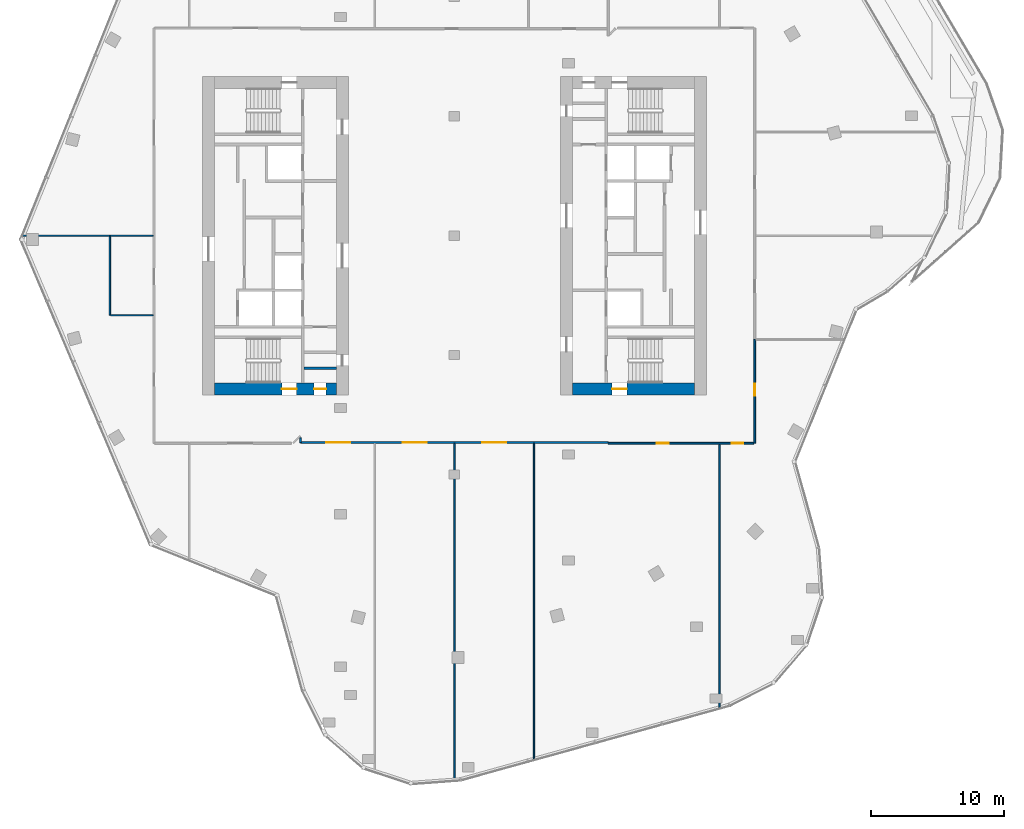
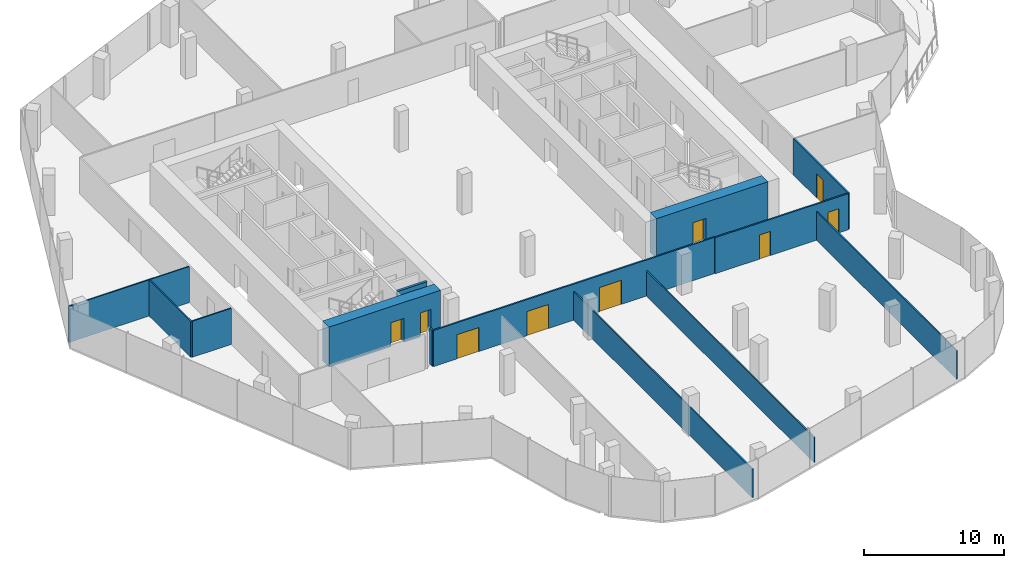
# One storey, part 12 of 17: 13 walls, 9 doors, 9 openings.
"""IFC4 building model written with IfcOpenShell, lengths in metres."""

import ifcopenshell
import ifcopenshell.guid

model = None  # the IFC model being written
_history = None  # IfcOwnerHistory: only IFC2X3 demands one
_inside = {}  # id of a spatial element -> (the spatial element, [elements in it])
_under = {}  # id of a project, library or spatial element -> (it, [spatial elements below it])
_declared = {}  # id of a project -> (the project, [libraries it declares])
_typed = {}  # id of a type object -> (the type object, [elements of that type])
_made_of = {}  # id of a material, layer set ... -> (it, [elements and type objects made of it])


def new_model(schema):
    """Start an empty IFC model of exactly this schema.

    Asked for "IFC4X3", IfcOpenShell would pick the latest addendum, in which some entities
    have other attributes; the version numbers below select the first issue.
    IFC2X3 requires an IfcOwnerHistory on every rooted entity: one is made here for all.
    """
    global model, _history
    if schema == "IFC4X3":
        model = ifcopenshell.file(schema_version=(4, 3, 0, 0))
    else:
        model = ifcopenshell.file(schema=schema)
    _inside.clear()
    _under.clear()
    _declared.clear()
    _typed.clear()
    _made_of.clear()
    _history = None
    if model.schema == "IFC2X3":
        org = make("IfcOrganization", Name="unknown")
        user = make(
            "IfcPersonAndOrganization",
            ThePerson=make("IfcPerson", FamilyName="unknown"),
            TheOrganization=org,
        )
        app = make(
            "IfcApplication",
            ApplicationDeveloper=org,
            Version="unknown",
            ApplicationFullName="unknown",
            ApplicationIdentifier="unknown",
        )
        _history = make(
            "IfcOwnerHistory",
            OwningUser=user,
            OwningApplication=app,
            ChangeAction="ADDED",
            CreationDate=0,
        )
    return model


def make(cls, **values):
    """One entity of the class cls with the attributes given. An attribute that is None is left unset."""
    return model.create_entity(
        cls, **{name: value for name, value in values.items() if value is not None}
    )


def rooted(cls, **values):
    """An entity with a GlobalId (a new one), such as an element, a storey or a relation."""
    return make(cls, GlobalId=ifcopenshell.guid.new(), OwnerHistory=_history, **values)


def si_unit(unit_type, name, prefix=None):
    """IfcSIUnit, for example si_unit("LENGTHUNIT", "METRE", prefix="MILLI")."""
    return make("IfcSIUnit", UnitType=unit_type, Prefix=prefix, Name=name)


def assignment(units):
    """IfcUnitAssignment: the units of a project."""
    return None if units is None else make("IfcUnitAssignment", Units=units)


def point(xyz):
    """IfcCartesianPoint."""
    return None if xyz is None else make("IfcCartesianPoint", Coordinates=xyz)


def direction(xyz):
    """IfcDirection."""
    return None if xyz is None else make("IfcDirection", DirectionRatios=xyz)


def frame(location, z_axis=None, x_axis=None):
    """IfcAxis2Placement3D, a coordinate frame: its origin and axes. An axis left out is left unset."""
    return make(
        "IfcAxis2Placement3D",
        Location=point(location),
        Axis=direction(z_axis),
        RefDirection=direction(x_axis),
    )


def frame_2d(location, x_axis=None):
    """IfcAxis2Placement2D, a coordinate frame in the plane: its origin and x axis."""
    return make(
        "IfcAxis2Placement2D", Location=point(location), RefDirection=direction(x_axis)
    )


def origin():
    """The frame at (0, 0, 0) with its axes left unset."""
    return frame((0.0, 0.0, 0.0))


def place(relative_to, where):
    """IfcLocalPlacement: puts the frame where relative to a parent placement (None: the world)."""
    return make(
        "IfcLocalPlacement", PlacementRelTo=relative_to, RelativePlacement=where
    )


def context(
    kind, dimensions, precision=None, world=None, true_north=None, identifier=None
):
    """IfcGeometricRepresentationContext, for example the 3D "Model" context."""
    return make(
        "IfcGeometricRepresentationContext",
        ContextIdentifier=identifier,
        ContextType=kind,
        CoordinateSpaceDimension=dimensions,
        Precision=precision,
        WorldCoordinateSystem=world,
        TrueNorth=true_north,
    )


def subcontext(parent, identifier, kind, view, scale=None):
    """IfcGeometricRepresentationSubContext, for example "Body" below "Model"."""
    return make(
        "IfcGeometricRepresentationSubContext",
        ContextIdentifier=identifier,
        ContextType=kind,
        ParentContext=parent,
        TargetScale=scale,
        TargetView=view,
    )


def project(units=None, contexts=None):
    """IfcProject with its units and contexts."""
    return rooted(
        "IfcProject",
        Name="project",
        RepresentationContexts=contexts,
        UnitsInContext=assignment(units),
    )


def spatial(cls, under=None, at=None, **own):
    """A site, building, storey or space (cls), placed at a placement, below another one or the project."""
    s = rooted(cls, ObjectPlacement=at, **own)
    if under is not None:
        _under.setdefault(under.id(), (under, []))[1].append(s)
    return s


def profile(cls, at=None, kind="AREA", **sizes):
    """A parametric profile (cls). Its sizes go by their IFC names, for example OverallWidth=200.0."""
    return make(cls, ProfileType=kind, Position=at, **sizes)


def rectangle(**sizes):
    """IfcRectangleProfileDef."""
    return profile("IfcRectangleProfileDef", **sizes)


def extrude(swept, where, along, depth):
    """IfcExtrudedAreaSolid: the profile swept, set in the frame where, extruded along a direction by depth."""
    return make(
        "IfcExtrudedAreaSolid",
        SweptArea=swept,
        Position=where,
        ExtrudedDirection=direction(along),
        Depth=depth,
    )


def shape(context_of_items, identifier, shape_type, items):
    """IfcShapeRepresentation: the items that make up one representation, for example the "Body"."""
    return make(
        "IfcShapeRepresentation",
        ContextOfItems=context_of_items,
        RepresentationIdentifier=identifier,
        RepresentationType=shape_type,
        Items=items,
    )


def material(Name=None, Category=None):
    """IfcMaterial."""
    return make("IfcMaterial", Name=Name, Category=Category)


def layer(
    of_material, thickness, ventilated=None, Name=None, Category=None, Priority=None
):
    """IfcMaterialLayer: one layer of a wall or slab, of a material (None: an air gap)."""
    return make(
        "IfcMaterialLayer",
        Material=of_material,
        LayerThickness=thickness,
        IsVentilated=ventilated,
        Name=Name,
        Category=Category,
        Priority=Priority,
    )


def layer_set(layers, Name=None):
    """IfcMaterialLayerSet."""
    return make("IfcMaterialLayerSet", MaterialLayers=layers, LayerSetName=Name)


def made_of(thing, what):
    """Note that an element or type object is made of a material, layer set ...; save() writes the relation."""
    if what is not None:
        _made_of.setdefault(what.id(), (what, []))[1].append(thing)
    return thing


def type_object(cls, material=None, **own):
    """A type object (cls), such as IfcWallType, which elements share."""
    return made_of(rooted(cls, **own), material)


def element(
    cls,
    number,
    at=None,
    inside=None,
    cuts=None,
    type_object=None,
    material=None,
    context=None,
    identifier="Body",
    shape_type=None,
    held_by="IfcProductDefinitionShape",
    body=None,
    shapes=None,
    **own,
):
    """One element of the class cls, such as IfcWall. Its Tag is "e" and its number.

    at: its placement. inside: the storey or other place that contains it. cuts: it is an
    opening in that element (IfcRelVoidsElement). A single representation is given by context,
    identifier, shape_type and body (its items); several are given by shapes. held_by: the class
    of the entity that holds the representations. save() writes the other relations.
    """
    e = rooted(cls, Tag="e%d" % number, ObjectPlacement=at, **own)
    if body is not None:
        shapes = [shape(context, identifier, shape_type, body)]
    if shapes is not None:
        e.Representation = make(held_by, Representations=shapes)
    if inside is not None:
        _inside.setdefault(inside.id(), (inside, []))[1].append(e)
    if cuts is not None:
        rooted(
            "IfcRelVoidsElement", RelatingBuildingElement=cuts, RelatedOpeningElement=e
        )
    if type_object is not None:
        _typed.setdefault(type_object.id(), (type_object, []))[1].append(e)
    return made_of(e, material)


def fill(opening, filler):
    """IfcRelFillsElement: the door or window that sits in an opening."""
    return rooted(
        "IfcRelFillsElement",
        RelatingOpeningElement=opening,
        RelatedBuildingElement=filler,
    )


def aggregate(whole, parts):
    """IfcRelAggregates: a whole, such as a stair, and the parts it consists of."""
    return rooted("IfcRelAggregates", RelatingObject=whole, RelatedObjects=parts)


def save(model, path):
    """Write the relations noted so far, then the file.

    IfcRelAggregates (storeys below a building ...), IfcRelContainedInSpatialStructure (elements
    in a storey), IfcRelDefinesByType, IfcRelAssociatesMaterial and IfcRelDeclares: one each for
    every whole, place, type object, material and project.
    """
    for whole, parts in _under.values():
        aggregate(whole, parts)
    for where, things in _inside.values():
        rooted(
            "IfcRelContainedInSpatialStructure",
            RelatedElements=things,
            RelatingStructure=where,
        )
    for kind, things in _typed.values():
        rooted("IfcRelDefinesByType", RelatedObjects=things, RelatingType=kind)
    for what, things in _made_of.values():
        rooted("IfcRelAssociatesMaterial", RelatedObjects=things, RelatingMaterial=what)
    for by, libraries in _declared.values():
        rooted("IfcRelDeclares", RelatingContext=by, RelatedDefinitions=libraries)
    model.write(path)


model = new_model("IFC4")

# Units and contexts
model_context = context("Model", 3, precision=1e-05, world=origin(), true_north=direction((0.0, 1.0)))
body_context = subcontext(model_context, "Body", "Model", "MODEL_VIEW")
ifc_project = project(units=[si_unit("LENGTHUNIT", "METRE"), si_unit("AREAUNIT", "SQUARE_METRE"), si_unit("VOLUMEUNIT", "CUBIC_METRE"), si_unit("PLANEANGLEUNIT", "RADIAN"), si_unit("MASSUNIT", "GRAM", prefix="KILO")], contexts=[model_context])

# Site, building, storey
site_placement = place(None, origin())
site = spatial("IfcSite", under=ifc_project, at=site_placement, CompositionType="ELEMENT")
building_placement = place(site_placement, origin())
building = spatial("IfcBuilding", under=site, at=building_placement, Name="Orlundy Tower", CompositionType="ELEMENT")
storey_placement = place(building_placement, frame((0.0, 0.0, 289.39990234375)))
storey = spatial("IfcBuildingStorey", under=building, at=storey_placement, Name="L77", CompositionType="ELEMENT", Elevation=289.39990234375)

# Wall, openings, doors
ifc_material_1 = material(Name="Concrete C50/60", Category="concrete")
ifc_layer_1 = layer(ifc_material_1, 0.89990234375)
ifc_layer_set_1 = layer_set([ifc_layer_1], Name="CORE WALL 900 C50/60")
wall_type_1 = type_object("IfcWallType", Name="CORE WALL 900 C50/60", PredefinedType="SHEAR", material=ifc_layer_set_1)
wall_1_placement = place(storey_placement, frame((-18.10009765625, -11.550048828125, 0.0), z_axis=(0.0, 0.0, 1.0), x_axis=(1.0, 0.0, 0.0)))
wall_1 = element("IfcWall", 1, at=wall_1_placement, inside=storey, type_object=wall_type_1, Name="Core wall W-S L77", PredefinedType="SHEAR", context=body_context, shape_type="SweptSolid", body=[
    extrude(rectangle(XDim=9.2001953125, YDim=0.89990234375, at=frame_2d((4.60009765625, 0.0))), origin(), (0.0, 0.0, 1.0), 3.5),
])
opening_1_placement = place(wall_1_placement, frame((5.10009765625, 0.0, 0.0)))
opening_1 = element("IfcOpeningElement", 2, at=opening_1_placement, cuts=wall_1, Name="Opening 59012", PredefinedType="OPENING", context=body_context, shape_type="SweptSolid", body=[
    extrude(rectangle(XDim=1.10009765625, YDim=2.10009765625, at=frame_2d((0.550048828125, 1.050048828125))), frame((0.0, 0.4599609375, 0.0), z_axis=(0.0, -1.0, 0.0), x_axis=(1.0, 0.0, 0.0)), (0.0, 0.0, 1.0), 0.919921875),
])
opening_2_placement = place(wall_1_placement, frame((7.530029296875, 0.0, 0.0)))
opening_2 = element("IfcOpeningElement", 3, at=opening_2_placement, cuts=wall_1, Name="Opening 59014", PredefinedType="OPENING", context=body_context, shape_type="SweptSolid", body=[
    extrude(rectangle(XDim=0.89990234375, YDim=2.10009765625, at=frame_2d((0.449951171875, 1.050048828125))), frame((0.0, 0.4599609375, 0.0), z_axis=(0.0, -1.0, 0.0), x_axis=(1.0, 0.0, 0.0)), (0.0, 0.0, 1.0), 0.919921875),
])
ifc_material_2 = material(Name="Timber door set", Category="wood")
door_type_1 = type_object("IfcDoorType", Name="Room Door 900x2100", OperationType="SINGLE_SWING_LEFT", PredefinedType="DOOR", material=ifc_material_2)
door_1_placement = place(opening_2_placement, origin())
door_1 = element("IfcDoor", 4, at=door_1_placement, inside=storey, type_object=door_type_1, Name="Store door 59014", OperationType="SINGLE_SWING_RIGHT", OverallHeight=2.10009765625, OverallWidth=0.89990234375, PredefinedType="DOOR", context=body_context, shape_type="SweptSolid", body=[
    extrude(rectangle(XDim=0.89990234375, YDim=2.10009765625, at=frame_2d((0.449951171875, 1.050048828125))), frame((0.0, 0.02490234375, 0.0), z_axis=(0.0, -1.0, 0.0), x_axis=(1.0, 0.0, 0.0)), (0.0, 0.0, 1.0), 0.050048828125),
])
fill(opening_2, door_1)
ifc_material_3 = material(Name="Steel door set", Category="steel")
door_type_2 = type_object("IfcDoorType", Name="Stair Door 1100x2100", OperationType="SINGLE_SWING_LEFT", PredefinedType="DOOR", material=ifc_material_3)
door_2_placement = place(opening_1_placement, origin())
door_2 = element("IfcDoor", 5, at=door_2_placement, inside=storey, type_object=door_type_2, Name="Stair door 59012", OperationType="SINGLE_SWING_RIGHT", OverallHeight=2.10009765625, OverallWidth=1.10009765625, PredefinedType="DOOR", context=body_context, shape_type="SweptSolid", body=[
    extrude(rectangle(XDim=1.10009765625, YDim=2.10009765625, at=frame_2d((0.550048828125, 1.050048828125))), frame((0.0, 0.02490234375, 0.0), z_axis=(0.0, -1.0, 0.0), x_axis=(1.0, 0.0, 0.0)), (0.0, 0.0, 1.0), 0.050048828125),
])
fill(opening_1, door_2)

# Wall, opening, door
wall_2_placement = place(storey_placement, frame((8.89990234375, -11.550048828125, 0.0), z_axis=(0.0, 0.0, 1.0), x_axis=(1.0, 0.0, 0.0)))
wall_2 = element("IfcWall", 6, at=wall_2_placement, inside=storey, type_object=wall_type_1, Name="Core wall E-S L77", PredefinedType="SHEAR", context=body_context, shape_type="SweptSolid", body=[
    extrude(rectangle(XDim=9.2001953125, YDim=0.89990234375, at=frame_2d((4.60009765625, 0.0))), origin(), (0.0, 0.0, 1.0), 3.5),
])
opening_3_placement = place(wall_2_placement, frame((3.0, 0.0, 0.0)))
opening_3 = element("IfcOpeningElement", 7, at=opening_3_placement, cuts=wall_2, Name="Opening 59060", PredefinedType="OPENING", context=body_context, shape_type="SweptSolid", body=[
    extrude(rectangle(XDim=1.10009765625, YDim=2.10009765625, at=frame_2d((0.550048828125, 1.050048828125))), frame((0.0, 0.4599609375, 0.0), z_axis=(0.0, -1.0, 0.0), x_axis=(1.0, 0.0, 0.0)), (0.0, 0.0, 1.0), 0.919921875),
])
door_3_placement = place(opening_3_placement, origin())
door_3 = element("IfcDoor", 8, at=door_3_placement, inside=storey, type_object=door_type_2, Name="Stair door 59060", OperationType="SINGLE_SWING_LEFT", OverallHeight=2.10009765625, OverallWidth=1.10009765625, PredefinedType="DOOR", context=body_context, shape_type="SweptSolid", body=[
    extrude(rectangle(XDim=1.10009765625, YDim=2.10009765625, at=frame_2d((0.550048828125, 1.050048828125))), frame((0.0, 0.02490234375, 0.0), z_axis=(0.0, -1.0, 0.0), x_axis=(1.0, 0.0, 0.0)), (0.0, 0.0, 1.0), 0.050048828125),
])
fill(opening_3, door_3)

# Walls
ifc_material_4 = material(Name="Gypsum board partition")
ifc_layer_2 = layer(ifc_material_4, 0.10009765625)
ifc_layer_set_2 = layer_set([ifc_layer_2], Name="Floor partition 100")
wall_type_2 = type_object("IfcWallType", Name="Floor partition 100", PredefinedType="PARTITIONING", material=ifc_layer_set_2)
wall_3_placement = place(storey_placement, frame((-25.931884765625, -5.9990234375, 0.0), z_axis=(0.0, 0.0, 1.0), x_axis=(1.0, 0.0, 0.0)))
element("IfcWall", 9, at=wall_3_placement, inside=storey, type_object=wall_type_2, Name="wall-int-L77-007", PredefinedType="PARTITIONING", context=body_context, shape_type="SweptSolid", body=[
    extrude(rectangle(XDim=3.219970703125, YDim=0.10009765625, at=frame_2d((1.60986328125, 0.0))), origin(), (0.0, 0.0, 1.0), 3.150146484375),
])
wall_4_placement = place(storey_placement, frame((-32.626953125, 0.0, 0.0), z_axis=(0.0, 0.0, 1.0), x_axis=(1.0, 0.0, 0.0)))
element("IfcWall", 10, at=wall_4_placement, inside=storey, type_object=wall_type_2, Name="wall-int-L77-008", PredefinedType="PARTITIONING", context=body_context, shape_type="SweptSolid", body=[
    extrude(rectangle(XDim=9.9150390625, YDim=0.10009765625, at=frame_2d((4.95751953125, 0.0))), origin(), (0.0, 0.0, 1.0), 3.150146484375),
])
wall_5_placement = place(storey_placement, frame((-25.98193359375, -5.9990234375, 0.0), z_axis=(0.0, 0.0, 1.0), x_axis=(0.0, 1.0, 0.0)))
element("IfcWall", 11, at=wall_5_placement, inside=storey, type_object=wall_type_2, Name="wall-int-L77-030", PredefinedType="PARTITIONING", context=body_context, shape_type="SweptSolid", body=[
    extrude(rectangle(XDim=5.948974609375, YDim=0.10009765625, at=frame_2d((2.974609375, 0.0))), origin(), (0.0, 0.0, 1.0), 3.150146484375),
])
ifc_material_5 = material(Name="Gypsum board partition")
ifc_layer_3 = layer(ifc_material_5, 0.10009765625)
ifc_layer_set_3 = layer_set([ifc_layer_3], Name="Floor partition 100 B")
wall_type_3 = type_object("IfcWallType", Name="Floor partition 100 B", PredefinedType="PARTITIONING", material=ifc_layer_set_3)
wall_6_placement = place(storey_placement, frame((20.0, -35.702880859375, 0.0), z_axis=(0.0, 0.0, 1.0), x_axis=(0.0, 1.0, 0.0)))
element("IfcWall", 12, at=wall_6_placement, inside=storey, type_object=wall_type_3, Name="wall-int-L77-019", PredefinedType="PARTITIONING", context=body_context, shape_type="SweptSolid", body=[
    extrude(rectangle(XDim=19.989990234375, YDim=0.10009765625, at=frame_2d((9.9951171875, 0.0))), origin(), (0.0, 0.0, 1.0), 2.4951171875),
])
wall_7_placement = place(storey_placement, frame((0.0, -41.152099609375, 0.0), z_axis=(0.0, 0.0, 1.0), x_axis=(0.0, 1.0, 0.0)))
element("IfcWall", 13, at=wall_7_placement, inside=storey, type_object=wall_type_3, Name="wall-int-L77-024", PredefinedType="PARTITIONING", context=body_context, shape_type="SweptSolid", body=[
    extrude(rectangle(XDim=25.489990234375, YDim=0.10009765625, at=frame_2d((12.7451171875, 0.0))), origin(), (0.0, 0.0, 1.0), 2.4951171875),
])
ifc_material_6 = material(Name="Gypsum board partition")
ifc_layer_4 = layer(ifc_material_6, 0.10009765625)
ifc_layer_set_4 = layer_set([ifc_layer_4], Name="Floor partition 100 C")
wall_type_4 = type_object("IfcWallType", Name="Floor partition 100 C", PredefinedType="PARTITIONING", material=ifc_layer_set_4)
wall_8_placement = place(storey_placement, frame((6.0, -39.5859375, 0.0), z_axis=(0.0, 0.0, 1.0), x_axis=(0.0, 1.0, 0.0)))
element("IfcWall", 14, at=wall_8_placement, inside=storey, type_object=wall_type_4, Name="wall-int-L77-022", PredefinedType="PARTITIONING", context=body_context, shape_type="SweptSolid", body=[
    extrude(rectangle(XDim=23.921875, YDim=0.10009765625, at=frame_2d((11.9609375, 0.0))), origin(), (0.0, 0.0, 1.0), 2.203369140625),
])
ifc_material_7 = material(Name="Gypsum board partition, double layer")
ifc_layer_5 = layer(ifc_material_7, 0.125)
ifc_layer_set_5 = layer_set([ifc_layer_5], Name="Floor partition 125")
wall_type_5 = type_object("IfcWallType", Name="Floor partition 125", PredefinedType="PARTITIONING", material=ifc_layer_set_5)
wall_9_placement = place(storey_placement, frame((-11.60107421875, -15.241943359375, 0.0), z_axis=(0.0, 0.0, 1.0), x_axis=(0.002726642898, -0.999996282702, 0.0)))
element("IfcWall", 15, at=wall_9_placement, inside=storey, type_object=wall_type_5, Name="wall-int-L77-001", PredefinedType="PARTITIONING", context=body_context, shape_type="SweptSolid", body=[
    extrude(rectangle(XDim=0.358154296875, YDim=0.125, at=frame_2d((0.17919921875, 0.0))), origin(), (0.0, 0.0, 1.0), 3.150146484375),
])

# Wall, openings, doors
wall_10_placement = place(storey_placement, frame((22.5869140625, -15.65087890625, 0.0), z_axis=(0.0, 0.0, 1.0), x_axis=(-1.0, 0.0, 0.0)))
wall_10 = element("IfcWall", 16, at=wall_10_placement, inside=storey, type_object=wall_type_5, Name="wall-int-L77-003", PredefinedType="PARTITIONING", context=body_context, shape_type="SweptSolid", body=[
    extrude(rectangle(XDim=10.995849609375, YDim=0.125, at=frame_2d((5.498046875, 0.0))), origin(), (0.0, 0.0, 1.0), 3.150146484375),
])
opening_4_placement = place(wall_10_placement, frame((6.4375, 0.0, 0.0)))
opening_4 = element("IfcOpeningElement", 17, at=opening_4_placement, cuts=wall_10, Name="Opening 59105", PredefinedType="OPENING", context=body_context, shape_type="SweptSolid", body=[
    extrude(rectangle(XDim=0.89990234375, YDim=2.10009765625, at=frame_2d((0.449951171875, 1.050048828125))), frame((0.0, 0.072509765625, 0.0), z_axis=(0.0, -1.0, 0.0), x_axis=(1.0, 0.0, 0.0)), (0.0, 0.0, 1.0), 0.14501953125),
])
opening_5_placement = place(wall_10_placement, frame((0.78759765625, 0.0, 0.0)))
opening_5 = element("IfcOpeningElement", 18, at=opening_5_placement, cuts=wall_10, Name="Opening 59106", PredefinedType="OPENING", context=body_context, shape_type="SweptSolid", body=[
    extrude(rectangle(XDim=0.89990234375, YDim=2.10009765625, at=frame_2d((0.449951171875, 1.050048828125))), frame((0.0, 0.072509765625, 0.0), z_axis=(0.0, -1.0, 0.0), x_axis=(1.0, 0.0, 0.0)), (0.0, 0.0, 1.0), 0.14501953125),
])
ifc_material_8 = material(Name="Timber door leaf", Category="wood")
door_type_3 = type_object("IfcDoorType", Name="Floor door single 900 FD30S", OperationType="NOTDEFINED", PredefinedType="DOOR", material=ifc_material_8)
door_4_placement = place(opening_4_placement, origin())
door_4 = element("IfcDoor", 19, at=door_4_placement, inside=storey, type_object=door_type_3, Name="Door 59105", OperationType="SINGLE_SWING_RIGHT", OverallHeight=2.10009765625, OverallWidth=0.89990234375, PredefinedType="DOOR", context=body_context, shape_type="SweptSolid", body=[
    extrude(rectangle(XDim=0.89990234375, YDim=2.10009765625, at=frame_2d((0.449951171875, 1.050048828125))), frame((0.0, 0.02490234375, 0.0), z_axis=(0.0, -1.0, 0.0), x_axis=(1.0, 0.0, 0.0)), (0.0, 0.0, 1.0), 0.050048828125),
])
fill(opening_4, door_4)
door_5_placement = place(opening_5_placement, origin())
door_5 = element("IfcDoor", 20, at=door_5_placement, inside=storey, type_object=door_type_3, Name="Door 59106", OperationType="SINGLE_SWING_LEFT", OverallHeight=2.10009765625, OverallWidth=0.89990234375, PredefinedType="DOOR", context=body_context, shape_type="SweptSolid", body=[
    extrude(rectangle(XDim=0.89990234375, YDim=2.10009765625, at=frame_2d((0.449951171875, 1.050048828125))), frame((0.0, 0.02490234375, 0.0), z_axis=(0.0, -1.0, 0.0), x_axis=(1.0, 0.0, 0.0)), (0.0, 0.0, 1.0), 0.050048828125),
])
fill(opening_5, door_5)

wall_11_placement = place(storey_placement, frame((11.590087890625, -15.60009765625, 0.0), z_axis=(0.0, 0.0, 1.0), x_axis=(-1.0, 0.0, 0.0)))
wall_11 = element("IfcWall", 21, at=wall_11_placement, inside=storey, type_object=wall_type_5, Name="wall-int-L77-005", PredefinedType="PARTITIONING", context=body_context, shape_type="SweptSolid", body=[
    extrude(rectangle(XDim=23.190185546875, YDim=0.125, at=frame_2d((11.59521484375, 0.0))), origin(), (0.0, 0.0, 1.0), 3.150146484375),
])
opening_6_placement = place(wall_11_placement, frame((19.43994140625, 0.0, 0.0)))
opening_6 = element("IfcOpeningElement", 22, at=opening_6_placement, cuts=wall_11, Name="Opening 59102", PredefinedType="OPENING", context=body_context, shape_type="SweptSolid", body=[
    extrude(rectangle(XDim=1.800048828125, YDim=2.10009765625, at=frame_2d((0.89990234375, 1.050048828125))), frame((0.0, 0.072509765625, 0.0), z_axis=(0.0, -1.0, 0.0), x_axis=(1.0, 0.0, 0.0)), (0.0, 0.0, 1.0), 0.14501953125),
])
opening_7_placement = place(wall_11_placement, frame((13.68994140625, 0.0, 0.0)))
opening_7 = element("IfcOpeningElement", 23, at=opening_7_placement, cuts=wall_11, Name="Opening 59103", PredefinedType="OPENING", context=body_context, shape_type="SweptSolid", body=[
    extrude(rectangle(XDim=1.800048828125, YDim=2.10009765625, at=frame_2d((0.89990234375, 1.050048828125))), frame((0.0, 0.072509765625, 0.0), z_axis=(0.0, -1.0, 0.0), x_axis=(1.0, 0.0, 0.0)), (0.0, 0.0, 1.0), 0.14501953125),
])
opening_8_placement = place(wall_11_placement, frame((7.68994140625, 0.0, 0.0)))
opening_8 = element("IfcOpeningElement", 24, at=opening_8_placement, cuts=wall_11, Name="Opening 59104", PredefinedType="OPENING", context=body_context, shape_type="SweptSolid", body=[
    extrude(rectangle(XDim=1.800048828125, YDim=2.10009765625, at=frame_2d((0.89990234375, 1.050048828125))), frame((0.0, 0.072509765625, 0.0), z_axis=(0.0, -1.0, 0.0), x_axis=(1.0, 0.0, 0.0)), (0.0, 0.0, 1.0), 0.14501953125),
])
ifc_material_9 = material(Name="Timber door leaf", Category="wood")
door_type_4 = type_object("IfcDoorType", Name="Floor door double 1800 FD30S", OperationType="NOTDEFINED", PredefinedType="DOOR", material=ifc_material_9)
door_6_placement = place(opening_6_placement, origin())
door_6 = element("IfcDoor", 25, at=door_6_placement, inside=storey, type_object=door_type_4, Name="Door 59102", OperationType="DOUBLE_DOOR_SINGLE_SWING", OverallHeight=2.10009765625, OverallWidth=1.800048828125, PredefinedType="DOOR", context=body_context, shape_type="SweptSolid", body=[
    extrude(rectangle(XDim=1.800048828125, YDim=2.10009765625, at=frame_2d((0.89990234375, 1.050048828125))), frame((0.0, 0.02490234375, 0.0), z_axis=(0.0, -1.0, 0.0), x_axis=(1.0, 0.0, 0.0)), (0.0, 0.0, 1.0), 0.050048828125),
])
fill(opening_6, door_6)
door_7_placement = place(opening_7_placement, origin())
door_7 = element("IfcDoor", 26, at=door_7_placement, inside=storey, type_object=door_type_4, Name="Door 59103", OperationType="DOUBLE_DOOR_SINGLE_SWING", OverallHeight=2.10009765625, OverallWidth=1.800048828125, PredefinedType="DOOR", context=body_context, shape_type="SweptSolid", body=[
    extrude(rectangle(XDim=1.800048828125, YDim=2.10009765625, at=frame_2d((0.89990234375, 1.050048828125))), frame((0.0, 0.02490234375, 0.0), z_axis=(0.0, -1.0, 0.0), x_axis=(1.0, 0.0, 0.0)), (0.0, 0.0, 1.0), 0.050048828125),
])
fill(opening_7, door_7)
door_8_placement = place(opening_8_placement, origin())
door_8 = element("IfcDoor", 27, at=door_8_placement, inside=storey, type_object=door_type_4, Name="Door 59104", OperationType="DOUBLE_DOOR_SINGLE_SWING", OverallHeight=2.10009765625, OverallWidth=1.800048828125, PredefinedType="DOOR", context=body_context, shape_type="SweptSolid", body=[
    extrude(rectangle(XDim=1.800048828125, YDim=2.10009765625, at=frame_2d((0.89990234375, 1.050048828125))), frame((0.0, 0.02490234375, 0.0), z_axis=(0.0, -1.0, 0.0), x_axis=(1.0, 0.0, 0.0)), (0.0, 0.0, 1.0), 0.050048828125),
])
fill(opening_8, door_8)

# Wall, opening, door
wall_12_placement = place(storey_placement, frame((22.64990234375, -7.823974609375, 0.0), z_axis=(0.0, 0.0, 1.0), x_axis=(0.0, -1.0, 0.0)))
wall_12 = element("IfcWall", 28, at=wall_12_placement, inside=storey, type_object=wall_type_5, Name="wall-int-L77-017", PredefinedType="PARTITIONING", context=body_context, shape_type="SweptSolid", body=[
    extrude(rectangle(XDim=7.826904296875, YDim=0.125, at=frame_2d((3.91357421875, 0.0))), origin(), (0.0, 0.0, 1.0), 3.150146484375),
])
opening_9_placement = place(wall_12_placement, frame((3.35009765625, 0.0, 0.0)))
opening_9 = element("IfcOpeningElement", 29, at=opening_9_placement, cuts=wall_12, Name="Opening 59107", PredefinedType="OPENING", context=body_context, shape_type="SweptSolid", body=[
    extrude(rectangle(XDim=0.89990234375, YDim=2.10009765625, at=frame_2d((0.449951171875, 1.050048828125))), frame((0.0, 0.072509765625, 0.0), z_axis=(0.0, -1.0, 0.0), x_axis=(1.0, 0.0, 0.0)), (0.0, 0.0, 1.0), 0.14501953125),
])
door_9_placement = place(opening_9_placement, origin())
door_9 = element("IfcDoor", 30, at=door_9_placement, inside=storey, type_object=door_type_3, Name="Door 59107", OperationType="SINGLE_SWING_LEFT", OverallHeight=2.10009765625, OverallWidth=0.89990234375, PredefinedType="DOOR", context=body_context, shape_type="SweptSolid", body=[
    extrude(rectangle(XDim=0.89990234375, YDim=2.10009765625, at=frame_2d((0.449951171875, 1.050048828125))), frame((0.0, 0.02490234375, 0.0), z_axis=(0.0, -1.0, 0.0), x_axis=(1.0, 0.0, 0.0)), (0.0, 0.0, 1.0), 0.050048828125),
])
fill(opening_9, door_9)

# Wall
ifc_material_10 = material(Name="Gypsum board partition on steel studs", Category="steel")
ifc_layer_6 = layer(ifc_material_10, 0.199951171875)
ifc_layer_set_6 = layer_set([ifc_layer_6], Name="Partition 200")
wall_type_6 = type_object("IfcWallType", Name="Partition 200", PredefinedType="PARTITIONING", material=ifc_layer_set_6)
wall_13_placement = place(storey_placement, frame((-8.89990234375, -10.0, 0.0), z_axis=(0.0, 0.0, 1.0), x_axis=(-1.0, 0.0, 0.0)))
element("IfcWall", 31, at=wall_13_placement, inside=storey, type_object=wall_type_6, Name="Partition wall W59-room-s0", PredefinedType="PARTITIONING", context=body_context, shape_type="SweptSolid", body=[
    extrude(rectangle(XDim=2.440185546875, YDim=0.199951171875, at=frame_2d((1.22021484375, 0.0))), origin(), (0.0, 0.0, 1.0), 3.090087890625),
])

save(model, "model.ifc")
